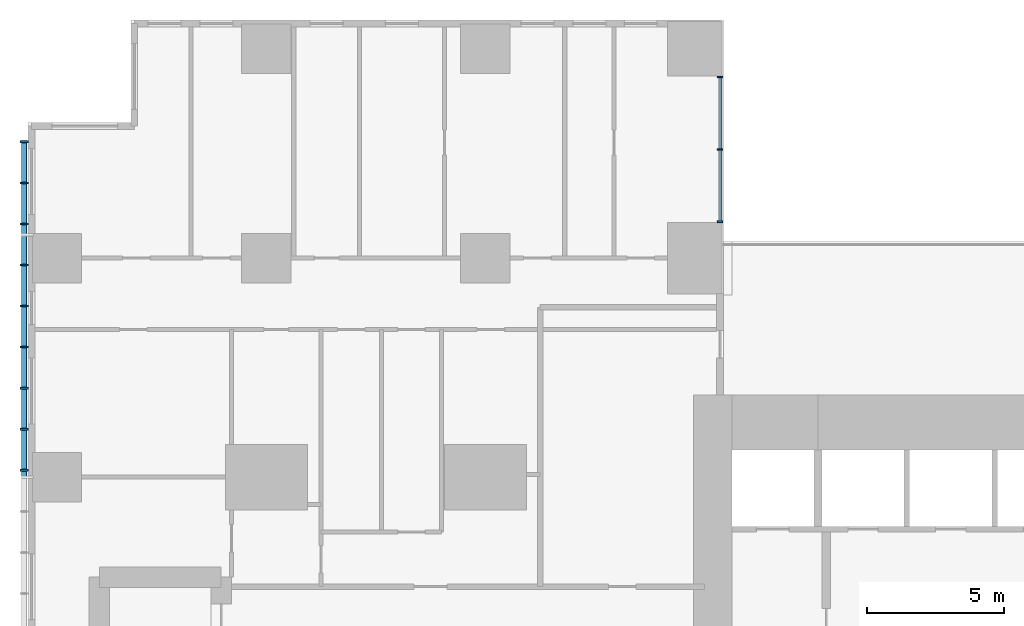
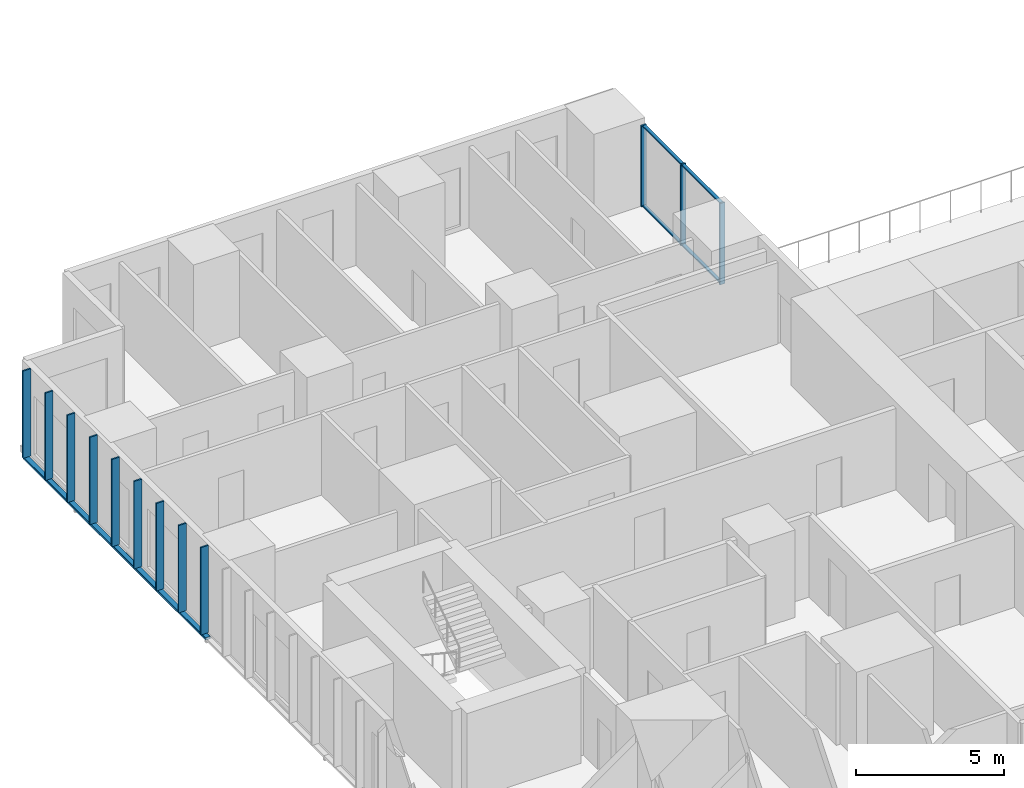
# One storey, part 4 of 20: 17 members, 1 element without a shape of its own.
"""IFC4 building model written with IfcOpenShell, lengths in metres."""

import ifcopenshell
import ifcopenshell.guid

model = None  # the IFC model being written
_history = None  # IfcOwnerHistory: only IFC2X3 demands one
_inside = {}  # id of a spatial element -> (the spatial element, [elements in it])
_under = {}  # id of a project, library or spatial element -> (it, [spatial elements below it])
_declared = {}  # id of a project -> (the project, [libraries it declares])
_typed = {}  # id of a type object -> (the type object, [elements of that type])
_made_of = {}  # id of a material, layer set ... -> (it, [elements and type objects made of it])


def new_model(schema):
    """Start an empty IFC model of exactly this schema.

    Asked for "IFC4X3", IfcOpenShell would pick the latest addendum, in which some entities
    have other attributes; the version numbers below select the first issue.
    IFC2X3 requires an IfcOwnerHistory on every rooted entity: one is made here for all.
    """
    global model, _history
    if schema == "IFC4X3":
        model = ifcopenshell.file(schema_version=(4, 3, 0, 0))
    else:
        model = ifcopenshell.file(schema=schema)
    _inside.clear()
    _under.clear()
    _declared.clear()
    _typed.clear()
    _made_of.clear()
    _history = None
    if model.schema == "IFC2X3":
        org = make("IfcOrganization", Name="unknown")
        user = make(
            "IfcPersonAndOrganization",
            ThePerson=make("IfcPerson", FamilyName="unknown"),
            TheOrganization=org,
        )
        app = make(
            "IfcApplication",
            ApplicationDeveloper=org,
            Version="unknown",
            ApplicationFullName="unknown",
            ApplicationIdentifier="unknown",
        )
        _history = make(
            "IfcOwnerHistory",
            OwningUser=user,
            OwningApplication=app,
            ChangeAction="ADDED",
            CreationDate=0,
        )
    return model


def make(cls, **values):
    """One entity of the class cls with the attributes given. An attribute that is None is left unset."""
    return model.create_entity(
        cls, **{name: value for name, value in values.items() if value is not None}
    )


def rooted(cls, **values):
    """An entity with a GlobalId (a new one), such as an element, a storey or a relation."""
    return make(cls, GlobalId=ifcopenshell.guid.new(), OwnerHistory=_history, **values)


def si_unit(unit_type, name, prefix=None):
    """IfcSIUnit, for example si_unit("LENGTHUNIT", "METRE", prefix="MILLI")."""
    return make("IfcSIUnit", UnitType=unit_type, Prefix=prefix, Name=name)


def assignment(units):
    """IfcUnitAssignment: the units of a project."""
    return None if units is None else make("IfcUnitAssignment", Units=units)


def point(xyz):
    """IfcCartesianPoint."""
    return None if xyz is None else make("IfcCartesianPoint", Coordinates=xyz)


def direction(xyz):
    """IfcDirection."""
    return None if xyz is None else make("IfcDirection", DirectionRatios=xyz)


def frame(location, z_axis=None, x_axis=None):
    """IfcAxis2Placement3D, a coordinate frame: its origin and axes. An axis left out is left unset."""
    return make(
        "IfcAxis2Placement3D",
        Location=point(location),
        Axis=direction(z_axis),
        RefDirection=direction(x_axis),
    )


def frame_2d(location, x_axis=None):
    """IfcAxis2Placement2D, a coordinate frame in the plane: its origin and x axis."""
    return make(
        "IfcAxis2Placement2D", Location=point(location), RefDirection=direction(x_axis)
    )


def origin():
    """The frame at (0, 0, 0) with its axes left unset."""
    return frame((0.0, 0.0, 0.0))


def origin_2d():
    """The frame at (0, 0) in the plane with its x axis left unset."""
    return frame_2d((0.0, 0.0))


def place(relative_to, where):
    """IfcLocalPlacement: puts the frame where relative to a parent placement (None: the world)."""
    return make(
        "IfcLocalPlacement", PlacementRelTo=relative_to, RelativePlacement=where
    )


def context(
    kind, dimensions, precision=None, world=None, true_north=None, identifier=None
):
    """IfcGeometricRepresentationContext, for example the 3D "Model" context."""
    return make(
        "IfcGeometricRepresentationContext",
        ContextIdentifier=identifier,
        ContextType=kind,
        CoordinateSpaceDimension=dimensions,
        Precision=precision,
        WorldCoordinateSystem=world,
        TrueNorth=true_north,
    )


def subcontext(parent, identifier, kind, view, scale=None):
    """IfcGeometricRepresentationSubContext, for example "Body" below "Model"."""
    return make(
        "IfcGeometricRepresentationSubContext",
        ContextIdentifier=identifier,
        ContextType=kind,
        ParentContext=parent,
        TargetScale=scale,
        TargetView=view,
    )


def project(units=None, contexts=None):
    """IfcProject with its units and contexts."""
    return rooted(
        "IfcProject",
        Name="project",
        RepresentationContexts=contexts,
        UnitsInContext=assignment(units),
    )


def spatial(cls, under=None, at=None, **own):
    """A site, building, storey or space (cls), placed at a placement, below another one or the project."""
    s = rooted(cls, ObjectPlacement=at, **own)
    if under is not None:
        _under.setdefault(under.id(), (under, []))[1].append(s)
    return s


def profile(cls, at=None, kind="AREA", **sizes):
    """A parametric profile (cls). Its sizes go by their IFC names, for example OverallWidth=200.0."""
    return make(cls, ProfileType=kind, Position=at, **sizes)


def rectangle(**sizes):
    """IfcRectangleProfileDef."""
    return profile("IfcRectangleProfileDef", **sizes)


def hollow_rectangle(**sizes):
    """IfcRectangleHollowProfileDef."""
    return profile("IfcRectangleHollowProfileDef", **sizes)


def extrude(swept, where, along, depth):
    """IfcExtrudedAreaSolid: the profile swept, set in the frame where, extruded along a direction by depth."""
    return make(
        "IfcExtrudedAreaSolid",
        SweptArea=swept,
        Position=where,
        ExtrudedDirection=direction(along),
        Depth=depth,
    )


def shape(context_of_items, identifier, shape_type, items):
    """IfcShapeRepresentation: the items that make up one representation, for example the "Body"."""
    return make(
        "IfcShapeRepresentation",
        ContextOfItems=context_of_items,
        RepresentationIdentifier=identifier,
        RepresentationType=shape_type,
        Items=items,
    )


def material(Name=None, Category=None):
    """IfcMaterial."""
    return make("IfcMaterial", Name=Name, Category=Category)


def layer(
    of_material, thickness, ventilated=None, Name=None, Category=None, Priority=None
):
    """IfcMaterialLayer: one layer of a wall or slab, of a material (None: an air gap)."""
    return make(
        "IfcMaterialLayer",
        Material=of_material,
        LayerThickness=thickness,
        IsVentilated=ventilated,
        Name=Name,
        Category=Category,
        Priority=Priority,
    )


def layer_set(layers, Name=None):
    """IfcMaterialLayerSet."""
    return make("IfcMaterialLayerSet", MaterialLayers=layers, LayerSetName=Name)


def material_profile(
    of_material, cross_section, Name=None, Category=None, Priority=None
):
    """IfcMaterialProfile: a cross section and its material."""
    return make(
        "IfcMaterialProfile",
        Name=Name,
        Material=of_material,
        Profile=cross_section,
        Priority=Priority,
        Category=Category,
    )


def profile_set(profiles, Name=None, composite=None):
    """IfcMaterialProfileSet."""
    return make(
        "IfcMaterialProfileSet",
        Name=Name,
        MaterialProfiles=profiles,
        CompositeProfile=composite,
    )


def made_of(thing, what):
    """Note that an element or type object is made of a material, layer set ...; save() writes the relation."""
    if what is not None:
        _made_of.setdefault(what.id(), (what, []))[1].append(thing)
    return thing


def type_object(cls, material=None, **own):
    """A type object (cls), such as IfcWallType, which elements share."""
    return made_of(rooted(cls, **own), material)


def element(
    cls,
    number,
    at=None,
    inside=None,
    cuts=None,
    type_object=None,
    material=None,
    context=None,
    identifier="Body",
    shape_type=None,
    held_by="IfcProductDefinitionShape",
    body=None,
    shapes=None,
    **own,
):
    """One element of the class cls, such as IfcWall. Its Tag is "e" and its number.

    at: its placement. inside: the storey or other place that contains it. cuts: it is an
    opening in that element (IfcRelVoidsElement). A single representation is given by context,
    identifier, shape_type and body (its items); several are given by shapes. held_by: the class
    of the entity that holds the representations. save() writes the other relations.
    """
    e = rooted(cls, Tag="e%d" % number, ObjectPlacement=at, **own)
    if body is not None:
        shapes = [shape(context, identifier, shape_type, body)]
    if shapes is not None:
        e.Representation = make(held_by, Representations=shapes)
    if inside is not None:
        _inside.setdefault(inside.id(), (inside, []))[1].append(e)
    if cuts is not None:
        rooted(
            "IfcRelVoidsElement", RelatingBuildingElement=cuts, RelatedOpeningElement=e
        )
    if type_object is not None:
        _typed.setdefault(type_object.id(), (type_object, []))[1].append(e)
    return made_of(e, material)


def aggregate(whole, parts):
    """IfcRelAggregates: a whole, such as a stair, and the parts it consists of."""
    return rooted("IfcRelAggregates", RelatingObject=whole, RelatedObjects=parts)


def save(model, path):
    """Write the relations noted so far, then the file.

    IfcRelAggregates (storeys below a building ...), IfcRelContainedInSpatialStructure (elements
    in a storey), IfcRelDefinesByType, IfcRelAssociatesMaterial and IfcRelDeclares: one each for
    every whole, place, type object, material and project.
    """
    for whole, parts in _under.values():
        aggregate(whole, parts)
    for where, things in _inside.values():
        rooted(
            "IfcRelContainedInSpatialStructure",
            RelatedElements=things,
            RelatingStructure=where,
        )
    for kind, things in _typed.values():
        rooted("IfcRelDefinesByType", RelatedObjects=things, RelatingType=kind)
    for what, things in _made_of.values():
        rooted("IfcRelAssociatesMaterial", RelatedObjects=things, RelatingMaterial=what)
    for by, libraries in _declared.values():
        rooted("IfcRelDeclares", RelatingContext=by, RelatedDefinitions=libraries)
    model.write(path)


model = new_model("IFC4")

# Units and contexts
model_context = context("Model", 3, precision=1e-05, world=origin(), true_north=direction((0.0, 1.0)))
body_context = subcontext(model_context, "Body", "Model", "MODEL_VIEW")
ifc_project = project(units=[si_unit("LENGTHUNIT", "METRE"), si_unit("AREAUNIT", "SQUARE_METRE"), si_unit("VOLUMEUNIT", "CUBIC_METRE"), si_unit("PLANEANGLEUNIT", "RADIAN"), si_unit("MASSUNIT", "GRAM", prefix="KILO")], contexts=[model_context])

# Site, building, storey
site_placement = place(None, origin())
site = spatial("IfcSite", under=ifc_project, at=site_placement, CompositionType="ELEMENT")
building_placement = place(site_placement, origin())
building = spatial("IfcBuilding", under=site, at=building_placement, Name="Cleftline Residences", CompositionType="ELEMENT")
storey_placement = place(building_placement, frame((0.0, 0.0, 182.199951171875)))
storey = spatial("IfcBuildingStorey", under=building, at=storey_placement, Name="L47", CompositionType="ELEMENT", Elevation=182.199951171875)

# Member
ifc_material_1 = material(Name="Steel S355, hot-dip galvanised", Category="steel")
ifc_material_profile_1 = material_profile(ifc_material_1, hollow_rectangle(XDim=0.10009765625, YDim=0.199951171875, WallThickness=0.008056640625, InnerFilletRadius=0.008056640625, OuterFilletRadius=0.011962890625, at=origin_2d()))
ifc_profile_set_1 = profile_set([ifc_material_profile_1], Name="Steel S355, hot-dip galvanised")
member_type_1 = type_object("IfcMemberType", Name="BAGUETTE CARRIER RHS 200X100X8", PredefinedType="USERDEFINED", material=ifc_profile_set_1)
member_1_placement = place(storey_placement, frame((-0.85009765625, 44.300048828125, -0.050048828125), z_axis=(0.0, -1.0, 0.0), x_axis=(0.0, 0.0, 1.0)))
element("IfcMember", 1, at=member_1_placement, inside=storey, type_object=member_type_1, Name="Baguette carrier", ObjectType="BAGUETTE CARRIER", PredefinedType="USERDEFINED", context=body_context, shape_type="SweptSolid", body=[
    extrude(hollow_rectangle(XDim=0.10009765625, YDim=0.199951171875, WallThickness=0.008056640625, InnerFilletRadius=0.008056640625, OuterFilletRadius=0.011962890625, at=origin_2d()), origin(), (0.0, 0.0, 1.0), 12.300048828125),
])

# Curtain wall, members
ifc_material_2 = material(Name="Aluminium framed curtain wall", Category="aluminium")
ifc_layer = layer(ifc_material_2, 0.199951171875)
ifc_layer_set = layer_set([ifc_layer], Name="CW1 CLEFT GLAZING")
curtain_wall_type = type_object("IfcCurtainWallType", Name="CW1 CLEFT GLAZING", PredefinedType="NOTDEFINED", material=ifc_layer_set)
curtain_wall_placement = place(storey_placement, origin())
curtain_wall = element("IfcCurtainWall", 2, at=curtain_wall_placement, inside=storey, type_object=curtain_wall_type, Name="Curtain wall CW1", PredefinedType="NOTDEFINED")
ifc_material_3 = material(Name="Aluminium mullion", Category="aluminium")
ifc_material_profile_2 = material_profile(ifc_material_3, rectangle(XDim=0.199951171875, YDim=0.06005859375, at=origin_2d()))
ifc_profile_set_2 = profile_set([ifc_material_profile_2], Name="Aluminium mullion")
member_type_2 = type_object("IfcMemberType", Name="CW1 MULLION", PredefinedType="MULLION", material=ifc_profile_set_2)
member_2_placement = place(storey_placement, frame((24.574951171875, 41.330078125, 0.0), z_axis=(0.0, 0.0, 1.0), x_axis=(-1.0, 0.0, 0.0)))
member_2 = element("IfcMember", 3, at=member_2_placement, type_object=member_type_2, Name="CW1 mullion 1", PredefinedType="MULLION", context=body_context, shape_type="SweptSolid", body=[
    extrude(rectangle(XDim=0.199951171875, YDim=0.06005859375, at=origin_2d()), origin(), (0.0, 0.0, 1.0), 3.35009765625),
])
member_3_placement = place(storey_placement, frame((24.574951171875, 43.97509765625, 0.0), z_axis=(0.0, 0.0, 1.0), x_axis=(-1.0, 0.0, 0.0)))
member_3 = element("IfcMember", 4, at=member_3_placement, type_object=member_type_2, Name="CW1 mullion 2", PredefinedType="MULLION", context=body_context, shape_type="SweptSolid", body=[
    extrude(rectangle(XDim=0.199951171875, YDim=0.06005859375, at=origin_2d()), origin(), (0.0, 0.0, 1.0), 3.35009765625),
])
member_4_placement = place(storey_placement, frame((24.574951171875, 46.6201171875, 0.0), z_axis=(0.0, 0.0, 1.0), x_axis=(-1.0, 0.0, 0.0)))
member_4 = element("IfcMember", 5, at=member_4_placement, type_object=member_type_2, Name="CW1 mullion 3", PredefinedType="MULLION", context=body_context, shape_type="SweptSolid", body=[
    extrude(rectangle(XDim=0.199951171875, YDim=0.06005859375, at=origin_2d()), origin(), (0.0, 0.0, 1.0), 3.35009765625),
])
ifc_material_4 = material(Name="Aluminium transom", Category="aluminium")
ifc_material_profile_3 = material_profile(ifc_material_4, rectangle(XDim=0.1201171875, YDim=0.06005859375, at=origin_2d()))
ifc_profile_set_3 = profile_set([ifc_material_profile_3], Name="Aluminium transom")
member_type_3 = type_object("IfcMemberType", Name="CW1 TRANSOM", PredefinedType="USERDEFINED", material=ifc_profile_set_3)
member_5_placement = place(storey_placement, frame((24.574951171875, 41.360107421875, 0.030029296875), z_axis=(0.0, 1.0, 0.0), x_axis=(-1.0, 0.0, 0.0)))
member_5 = element("IfcMember", 6, at=member_5_placement, type_object=member_type_3, Name="CW1 transom 1.1", ObjectType="TRANSOM", PredefinedType="USERDEFINED", context=body_context, shape_type="SweptSolid", body=[
    extrude(rectangle(XDim=0.1201171875, YDim=0.06005859375, at=origin_2d()), origin(), (0.0, 0.0, 1.0), 2.5849609375),
])
member_6_placement = place(storey_placement, frame((24.574951171875, 41.360107421875, 3.320068359375), z_axis=(0.0, 1.0, 0.0), x_axis=(-1.0, 0.0, 0.0)))
member_6 = element("IfcMember", 7, at=member_6_placement, type_object=member_type_3, Name="CW1 transom 1.2", ObjectType="TRANSOM", PredefinedType="USERDEFINED", context=body_context, shape_type="SweptSolid", body=[
    extrude(rectangle(XDim=0.1201171875, YDim=0.06005859375, at=origin_2d()), origin(), (0.0, 0.0, 1.0), 2.5849609375),
])
member_7_placement = place(storey_placement, frame((24.574951171875, 44.0048828125, 0.030029296875), z_axis=(0.0, 1.0, 0.0), x_axis=(-1.0, 0.0, 0.0)))
member_7 = element("IfcMember", 8, at=member_7_placement, type_object=member_type_3, Name="CW1 transom 2.1", ObjectType="TRANSOM", PredefinedType="USERDEFINED", context=body_context, shape_type="SweptSolid", body=[
    extrude(rectangle(XDim=0.1201171875, YDim=0.06005859375, at=origin_2d()), origin(), (0.0, 0.0, 1.0), 2.585205078125),
])
member_8_placement = place(storey_placement, frame((24.574951171875, 44.0048828125, 3.320068359375), z_axis=(0.0, 1.0, 0.0), x_axis=(-1.0, 0.0, 0.0)))
member_8 = element("IfcMember", 9, at=member_8_placement, type_object=member_type_3, Name="CW1 transom 2.2", ObjectType="TRANSOM", PredefinedType="USERDEFINED", context=body_context, shape_type="SweptSolid", body=[
    extrude(rectangle(XDim=0.1201171875, YDim=0.06005859375, at=origin_2d()), origin(), (0.0, 0.0, 1.0), 2.585205078125),
])
aggregate(curtain_wall, [member_2, member_3, member_4, member_5, member_6, member_7, member_8])

# Members
ifc_material_5 = material(Name="Extruded terracotta", Category="masonry")
ifc_material_profile_4 = material_profile(ifc_material_5, rectangle(XDim=0.06005859375, YDim=0.300048828125, at=origin_2d()))
ifc_profile_set_4 = profile_set([ifc_material_profile_4], Name="Extruded terracotta")
member_type_4 = type_object("IfcMemberType", Name="TERRACOTTA BAGUETTE 60X300", PredefinedType="USERDEFINED", material=ifc_profile_set_4)
for number, where, z_axis, x_axis, name in (
    (10, (-0.85009765625, 44.25, 0.0), (0.0, 0.0, 1.0), (0.0, 1.0, 0.0), "Terracotta baguette"),
    (11, (-0.85009765625, 42.75, 0.0), (0.0, 0.0, 1.0), (0.0, 1.0, 0.0), "Terracotta baguette"),
    (12, (-0.85009765625, 41.25, 0.0), (0.0, 0.0, 1.0), (0.0, 1.0, 0.0), "Terracotta baguette"),
    (13, (-0.85009765625, 39.75, 0.0), (0.0, 0.0, 1.0), (0.0, 1.0, 0.0), "Terracotta baguette"),
    (14, (-0.85009765625, 38.25, 0.0), (0.0, 0.0, 1.0), (0.0, 1.0, 0.0), "Terracotta baguette"),
    (15, (-0.85009765625, 36.75, 0.0), (0.0, 0.0, 1.0), (0.0, 1.0, 0.0), "Terracotta baguette"),
    (16, (-0.85009765625, 35.25, 0.0), (0.0, 0.0, 1.0), (0.0, 1.0, 0.0), "Terracotta baguette"),
    (17, (-0.85009765625, 33.75, 0.0), (0.0, 0.0, 1.0), (0.0, 1.0, 0.0), "Terracotta baguette"),
    (18, (-0.85009765625, 32.25, 0.0), (0.0, 0.0, 1.0), (0.0, 1.0, 0.0), "Terracotta baguette"),
):
    element("IfcMember", number, at=place(storey_placement, frame(where, z_axis=z_axis, x_axis=x_axis)), inside=storey, type_object=member_type_4, Name=name, ObjectType="BAGUETTE", PredefinedType="USERDEFINED", context=body_context, shape_type="SweptSolid", body=[
        extrude(rectangle(XDim=0.06005859375, YDim=0.300048828125, at=origin_2d()), origin(), (0.0, 0.0, 1.0), 3.60009765625),
    ])

save(model, "model.ifc")
